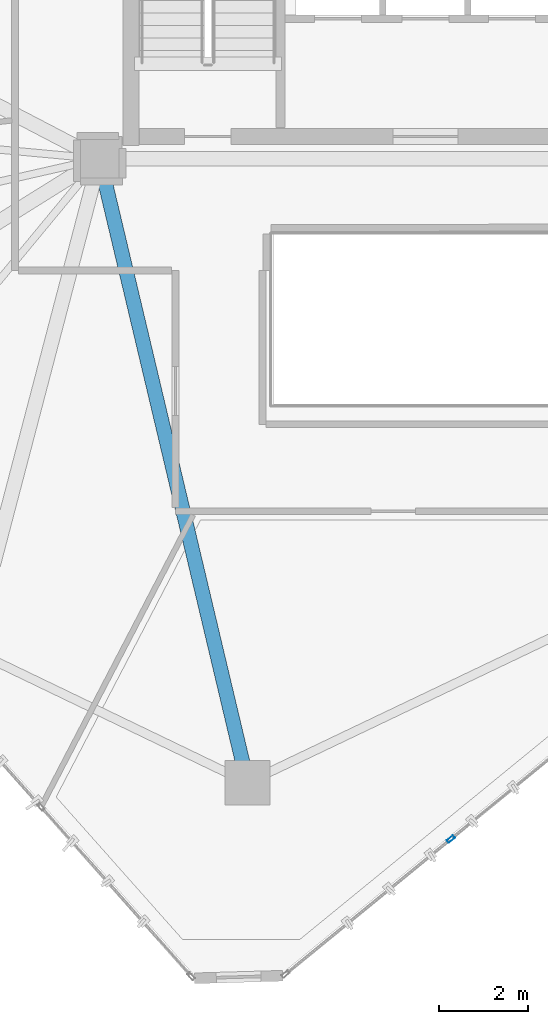
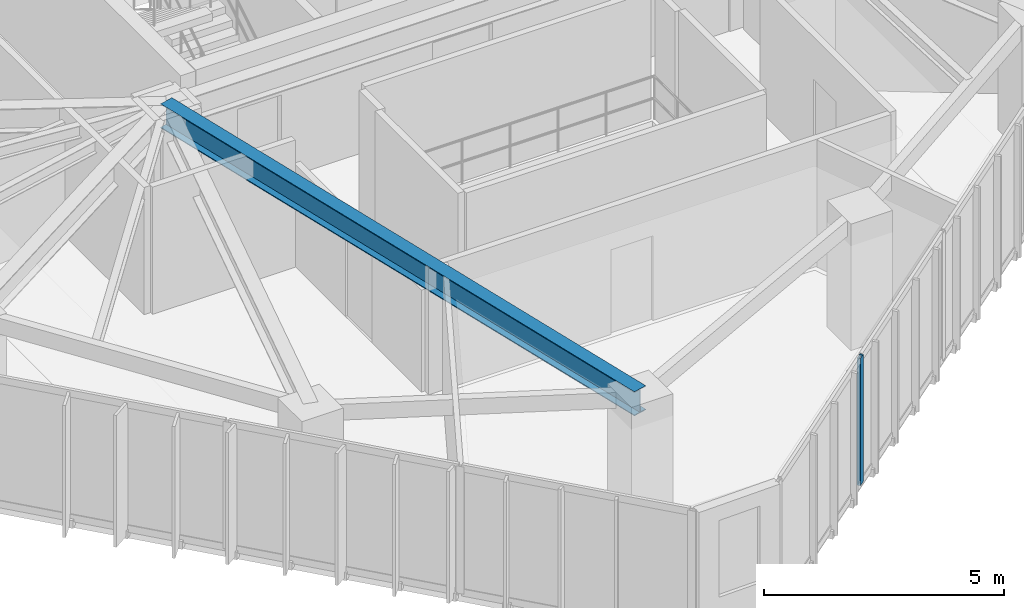
# One storey, part 5 of 22: 1 beam, 1 member, 1 element without a shape of its own.
"""IFC4 building model written with IfcOpenShell, lengths in metres."""

from ifc_helpers import new_model, si_unit, direction, frame, origin, origin_2d, place, context, subcontext, project, spatial, hollow_rectangle, i_section, extrude, source, transform, mapped, material, layer, layer_set, material_profile, profile_set, type_object, type_shapes, element, aggregate, save


model = new_model("IFC4")

# Units and contexts
model_context = context("Model", 3, precision=1e-05, world=origin(), true_north=direction((0.0, 1.0)))
body_context = subcontext(model_context, "Body", "Model", "MODEL_VIEW")
ifc_project = project(units=[si_unit("LENGTHUNIT", "METRE"), si_unit("AREAUNIT", "SQUARE_METRE"), si_unit("VOLUMEUNIT", "CUBIC_METRE"), si_unit("PLANEANGLEUNIT", "RADIAN"), si_unit("MASSUNIT", "GRAM", prefix="KILO")], contexts=[model_context])

# Site, building, storey
site_placement = place(None, origin())
site = spatial("IfcSite", under=ifc_project, at=site_placement, CompositionType="ELEMENT")
building_placement = place(site_placement, origin())
building = spatial("IfcBuilding", under=site, at=building_placement, Name="Talar Marvaseh", CompositionType="ELEMENT")
storey_placement = place(building_placement, frame((0.0, 0.0, 208.199951171875)))
storey = spatial("IfcBuildingStorey", under=building, at=storey_placement, Name="L54", CompositionType="ELEMENT", Elevation=208.199951171875)

# Beam
ifc_material_1 = material(Name="Steel S355", Category="steel")
ifc_material_profile_1 = material_profile(ifc_material_1, i_section(OverallWidth=0.324951171875, OverallDepth=0.615966796875, WebThickness=0.013916015625, FlangeThickness=0.021484375, at=origin_2d()), Name="W610x174")
ifc_profile_set_1 = profile_set([ifc_material_profile_1], Name="Steel S355")
beam_type = type_object("IfcBeamType", Name="Zone 3 Radial Floor Girder W610x174", PredefinedType="BEAM", material=ifc_profile_set_1)
beam_placement = place(storey_placement, frame((22.014892578125, 11.51904296875, 2.922119140625), z_axis=(-0.230707708791, 0.973023099985, 0.0), x_axis=(-0.973023099985, -0.230707708791, 0.0)))
element("IfcBeam", 1, at=beam_placement, inside=storey, type_object=beam_type, Name="L54 Zone 3 Radial Floor Girder W610x174", PredefinedType="BEAM", context=body_context, shape_type="SweptSolid", body=[
    extrude(i_section(OverallWidth=0.324951171875, OverallDepth=0.615966796875, WebThickness=0.013916015625, FlangeThickness=0.021484375, at=origin_2d()), origin(), (0.0, 0.0, 1.0), 14.36865234375),
])

# Curtain wall, member
ifc_material_2 = material(Name="Architectural Aluminium", Category="aluminium")
ifc_layer = layer(ifc_material_2, 0.18994140625)
ifc_layer_set = layer_set([ifc_layer], Name="Architectural Aluminium")
curtain_wall_type = type_object("IfcCurtainWallType", Name="Unitised Solar Atelier Curtain Wall Z3", PredefinedType="NOTDEFINED", material=ifc_layer_set)
curtain_wall_placement = place(storey_placement, origin())
curtain_wall = element("IfcCurtainWall", 2, at=curtain_wall_placement, inside=storey, type_object=curtain_wall_type, Name="L54 Unitised Solar Atelier Curtain Wall Z3", PredefinedType="NOTDEFINED")
ifc_material_profile_2 = material_profile(ifc_material_2, hollow_rectangle(XDim=0.074951171875, YDim=0.179931640625, WallThickness=0.0048828125, at=origin_2d()), Name="RHS180x75x5")
ifc_profile_set_2 = profile_set([ifc_material_profile_2], Name="Architectural Aluminium")
member_type = type_object("IfcMemberType", Name="Unitised Curtain Wall Standard Mullion RHS180x75x5", PredefinedType="MULLION", material=ifc_profile_set_2)
shared_shape = source(origin(), body_context, "Body", "SweptSolid", [
    extrude(hollow_rectangle(XDim=0.074951171875, YDim=0.179931640625, WallThickness=0.0048828125, at=origin_2d()), origin(), (0.0, 0.0, 1.0), 3.22998046875),
])
type_shapes(member_type, [shared_shape])
member_placement = place(storey_placement, frame((26.57470703125, 10.25390625, 0.0), z_axis=(0.0, 0.0, 1.0), x_axis=(0.632822116312, -0.774297209801, 0.0)))
member = element("IfcMember", 3, at=member_placement, type_object=member_type, Name="CW-Z3 mullion 4", PredefinedType="MULLION", context=body_context, shape_type="MappedRepresentation", body=[
    mapped(shared_shape, transform((0.0, 0.0, 0.0), x_axis=(1.0, 0.0, 0.0), y_axis=(0.0, 1.0, 0.0), z_axis=(0.0, 0.0, 1.0), scale=1.0)),
])
aggregate(curtain_wall, [member])

save(model, "model.ifc")
